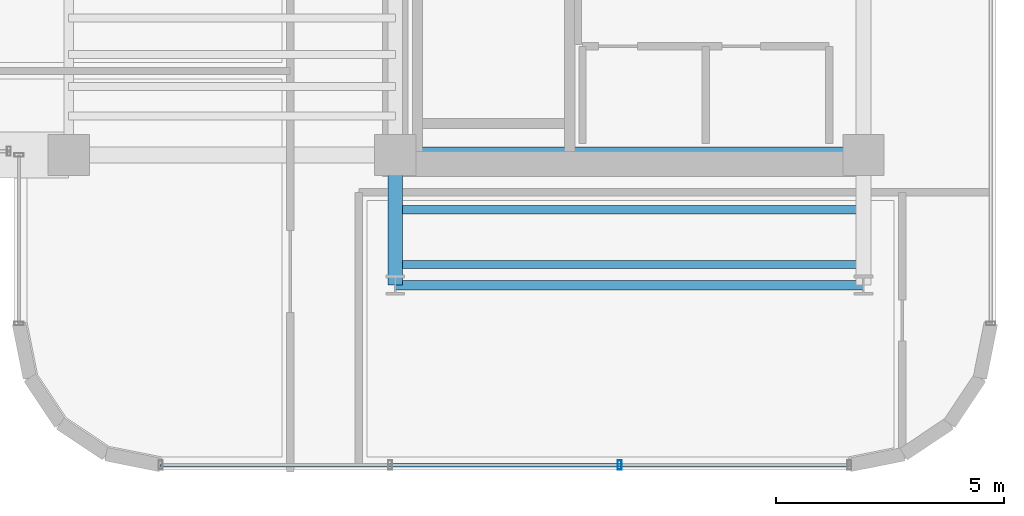
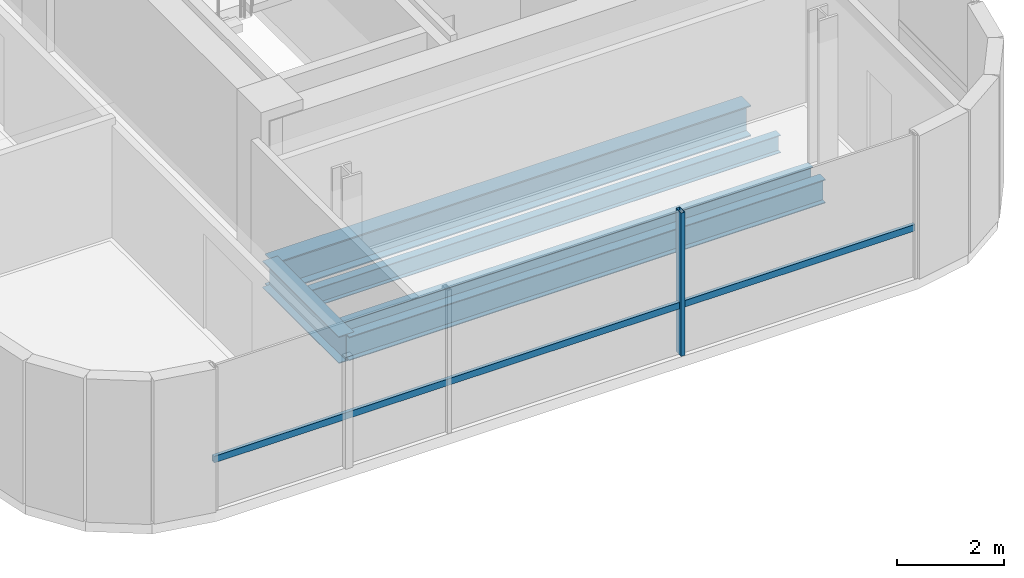
# One storey, part 3 of 22: 5 beams, 2 members, 1 element without a shape of its own.
"""IFC4 building model written with IfcOpenShell, lengths in metres."""

from ifc_helpers import new_model, si_unit, direction, frame, origin, origin_2d, place, context, subcontext, project, spatial, hollow_rectangle, i_section, extrude, source, transform, mapped, material, material_profile, profile_set, type_object, element, aggregate, save


model = new_model("IFC4")

# Units and contexts
model_context = context("Model", 3, precision=1e-05, world=origin(), true_north=direction((0.0, 1.0)))
body_context = subcontext(model_context, "Body", "Model", "MODEL_VIEW")
ifc_project = project(units=[si_unit("LENGTHUNIT", "METRE"), si_unit("AREAUNIT", "SQUARE_METRE"), si_unit("VOLUMEUNIT", "CUBIC_METRE"), si_unit("PLANEANGLEUNIT", "RADIAN"), si_unit("MASSUNIT", "GRAM", prefix="KILO")], contexts=[model_context])

# Site, building, storey
site_placement = place(None, origin())
site = spatial("IfcSite", under=ifc_project, at=site_placement, CompositionType="ELEMENT")
building_placement = place(site_placement, origin())
building = spatial("IfcBuilding", under=site, at=building_placement, Name="Valdorenza Pilgrim Sanctuary Tower", CompositionType="ELEMENT")
storey_placement = place(building_placement, frame((0.0, 0.0, 237.0)))
storey = spatial("IfcBuildingStorey", under=building, at=storey_placement, Name="L61", CompositionType="ELEMENT", Elevation=237.0)

# Beams
ifc_material_1 = material(Name="Steel ASTM A992 Grade 50", Category="steel")
ifc_material_profile_1 = material_profile(ifc_material_1, i_section(OverallWidth=0.323974609375, OverallDepth=0.611083984375, WebThickness=0.0126953125, FlangeThickness=0.01904296875, at=origin_2d()), Name="W24X104")
ifc_profile_set_1 = profile_set([ifc_material_profile_1], Name="Steel ASTM A992 Grade 50")
beam_type_1 = type_object("IfcBeamType", Name="STR-BM-GRD-W24B", PredefinedType="BEAM", material=ifc_profile_set_1)
shared_shape_1 = source(origin(), body_context, "Body", "SweptSolid", [
    extrude(i_section(OverallWidth=0.323974609375, OverallDepth=0.611083984375, WebThickness=0.0126953125, FlangeThickness=0.01904296875, at=origin_2d()), origin(), (0.0, 0.0, 1.0), 2.849853515625),
])
beam_1_placement = place(storey_placement, frame((-22.64990234375, -13.449951171875, -0.54541015625), z_axis=(0.0, 1.0, 0.0), x_axis=(-1.0, 0.0, 0.0)))
element("IfcBeam", 1, at=beam_1_placement, inside=storey, type_object=beam_type_1, Name="L61 Floor Girder WA-S-LW", PredefinedType="BEAM", context=body_context, shape_type="MappedRepresentation", body=[
    mapped(shared_shape_1, transform((0.0, 0.0, 0.0), x_axis=(1.0, 0.0, 0.0), y_axis=(0.0, 1.0, 0.0), z_axis=(0.0, 0.0, 1.0), scale=1.0)),
])
ifc_material_profile_2 = material_profile(ifc_material_1, i_section(OverallWidth=0.2109375, OverallDepth=0.5390625, WebThickness=0.01171875, FlangeThickness=0.018798828125, at=origin_2d()), Name="W21X73")
ifc_profile_set_2 = profile_set([ifc_material_profile_2], Name="Steel ASTM A992 Grade 50")
beam_type_2 = type_object("IfcBeamType", Name="STR-BM-SPN-W21B", PredefinedType="SPANDREL", material=ifc_profile_set_2)
shared_shape_2 = source(origin(), body_context, "Body", "SweptSolid", [
    extrude(i_section(OverallWidth=0.2109375, OverallDepth=0.5390625, WebThickness=0.01171875, FlangeThickness=0.018798828125, at=origin_2d()), origin(), (0.0, 0.0, 1.0), 10.25),
])
beam_2_placement = place(storey_placement, frame((-22.64990234375, -13.449951171875, -0.509521484375), z_axis=(1.0, 0.0, 0.0), x_axis=(0.0, 1.0, 0.0)))
element("IfcBeam", 2, at=beam_2_placement, inside=storey, type_object=beam_type_2, Name="L61 South Spandrel WA-S-TIE", PredefinedType="SPANDREL", context=body_context, shape_type="MappedRepresentation", body=[
    mapped(shared_shape_2, transform((0.0, 0.0, 0.0), x_axis=(1.0, 0.0, 0.0), y_axis=(0.0, 1.0, 0.0), z_axis=(0.0, 0.0, 1.0), scale=1.0)),
])
ifc_material_profile_3 = material_profile(ifc_material_1, i_section(OverallWidth=0.35595703125, OverallDepth=0.700927734375, WebThickness=0.016845703125, FlangeThickness=0.02734375, at=origin_2d()), Name="W27X161")
ifc_profile_set_3 = profile_set([ifc_material_profile_3], Name="Steel ASTM A992 Grade 50")
beam_type_3 = type_object("IfcBeamType", Name="STR-BM-GRD-W27", PredefinedType="BEAM", material=ifc_profile_set_3)
shared_shape_3 = source(origin(), body_context, "Body", "SweptSolid", [
    extrude(i_section(OverallWidth=0.35595703125, OverallDepth=0.700927734375, WebThickness=0.016845703125, FlangeThickness=0.02734375, at=origin_2d()), origin(), (0.0, 0.0, 1.0), 10.25),
])
beam_3_placement = place(storey_placement, frame((-22.64990234375, -10.60009765625, -0.590576171875), z_axis=(1.0, 0.0, 0.0), x_axis=(0.0, 1.0, 0.0)))
element("IfcBeam", 3, at=beam_3_placement, inside=storey, type_object=beam_type_3, Name="L61 Floor Girder CA-XC-S1", PredefinedType="BEAM", context=body_context, shape_type="MappedRepresentation", body=[
    mapped(shared_shape_3, transform((0.0, 0.0, 0.0), x_axis=(1.0, 0.0, 0.0), y_axis=(0.0, 1.0, 0.0), z_axis=(0.0, 0.0, 1.0), scale=1.0)),
])
ifc_material_profile_4 = material_profile(ifc_material_1, i_section(OverallWidth=0.177978515625, OverallDepth=0.406005859375, WebThickness=0.0078125, FlangeThickness=0.0126953125, at=origin_2d()), Name="W16X40")
ifc_profile_set_4 = profile_set([ifc_material_profile_4], Name="Steel ASTM A992 Grade 50")
beam_type_4 = type_object("IfcBeamType", Name="STR-BM-JST-W16", PredefinedType="JOIST", material=ifc_profile_set_4)
shared_shape_4 = source(origin(), body_context, "Body", "SweptSolid", [
    extrude(i_section(OverallWidth=0.177978515625, OverallDepth=0.406005859375, WebThickness=0.0078125, FlangeThickness=0.0126953125, at=origin_2d()), origin(), (0.0, 0.0, 1.0), 10.25),
])
for number, where, z_axis, x_axis, name in (
    (4, (-22.64990234375, -13.0, -0.443115234375), (1.0, 0.0, 0.0), (0.0, 1.0, 0.0), "L61 Composite Floor Joist JST-WAS-1"),
    (5, (-22.64990234375, -11.800048828125, -0.443115234375), (1.0, 0.0, 0.0), (0.0, 1.0, 0.0), "L61 Composite Floor Joist JST-WAS-2"),
):
    element("IfcBeam", number, at=place(storey_placement, frame(where, z_axis=z_axis, x_axis=x_axis)), inside=storey, type_object=beam_type_4, Name=name, PredefinedType="JOIST", context=body_context, shape_type="MappedRepresentation", body=[
        mapped(shared_shape_4, transform((0.0, 0.0, 0.0), x_axis=(1.0, 0.0, 0.0), y_axis=(0.0, 1.0, 0.0), z_axis=(0.0, 0.0, 1.0), scale=1.0)),
    ])

# Curtain wall, members
ifc_material_2 = material(Name="Curtain-wall IGU glazing", Category="glass")
curtain_wall_type = type_object("IfcCurtainWallType", Name="CW-SYS-02", PredefinedType="NOTDEFINED", material=ifc_material_2)
curtain_wall_placement = place(storey_placement, origin())
curtain_wall = element("IfcCurtainWall", 6, at=curtain_wall_placement, inside=storey, type_object=curtain_wall_type, Name="L61 Curtain Wall CW-L61-1-26", PredefinedType="NOTDEFINED")
ifc_material_3 = material(Name="Anodised aluminium AW-6060", Category="aluminium")
ifc_material_profile_5 = material_profile(ifc_material_3, hollow_rectangle(XDim=0.074951171875, YDim=0.14990234375, WallThickness=0.00390625, at=origin_2d()), Name="ALU-T 150x75x4")
ifc_profile_set_5 = profile_set([ifc_material_profile_5], Name="Anodised aluminium AW-6060")
member_type_1 = type_object("IfcMemberType", Name="CW-TRN-02", PredefinedType="USERDEFINED", material=ifc_profile_set_5)
shared_shape_5 = source(origin(), body_context, "Body", "SweptSolid", [
    extrude(hollow_rectangle(XDim=0.074951171875, YDim=0.14990234375, WallThickness=0.00390625, at=origin_2d()), origin(), (0.0, 0.0, 1.0), 15.07861328125),
])
member_1_placement = place(storey_placement, frame((-12.710693359375, -17.389892578125, 1.1201171875), z_axis=(-1.0, 0.0, 0.0), x_axis=(0.0, -1.0, 0.0)))
member_1 = element("IfcMember", 7, at=member_1_placement, type_object=member_type_1, Name="CW-L61-1-26 Transom 1", ObjectType="TRANSOM", PredefinedType="USERDEFINED", context=body_context, shape_type="MappedRepresentation", body=[
    mapped(shared_shape_5, transform((0.0, 0.0, 0.0), x_axis=(1.0, 0.0, 0.0), y_axis=(0.0, 1.0, 0.0), z_axis=(0.0, 0.0, 1.0), scale=1.0)),
])
ifc_material_profile_6 = material_profile(ifc_material_3, hollow_rectangle(XDim=0.0849609375, YDim=0.199951171875, WallThickness=0.0048828125, at=origin_2d()), Name="ALU-M 200x85x5")
ifc_profile_set_6 = profile_set([ifc_material_profile_6], Name="Anodised aluminium AW-6060")
member_type_2 = type_object("IfcMemberType", Name="CW-MUL-02", PredefinedType="MULLION", material=ifc_profile_set_6)
shared_shape_6 = source(origin(), body_context, "Body", "SweptSolid", [
    extrude(hollow_rectangle(XDim=0.0849609375, YDim=0.199951171875, WallThickness=0.0048828125, at=origin_2d()), origin(), (0.0, 0.0, 1.0), 3.260009765625),
])
member_2_placement = place(storey_placement, frame((-17.73681640625, -17.389892578125, 0.0), z_axis=(0.0, 0.0, 1.0), x_axis=(-1.0, 0.0, 0.0)))
member_2 = element("IfcMember", 8, at=member_2_placement, type_object=member_type_2, Name="CW-L61-1-26 Mullion 2", PredefinedType="MULLION", context=body_context, shape_type="MappedRepresentation", body=[
    mapped(shared_shape_6, transform((0.0, 0.0, 0.0), x_axis=(1.0, 0.0, 0.0), y_axis=(0.0, 1.0, 0.0), z_axis=(0.0, 0.0, 1.0), scale=1.0)),
])
aggregate(curtain_wall, [member_2, member_1])

save(model, "model.ifc")
